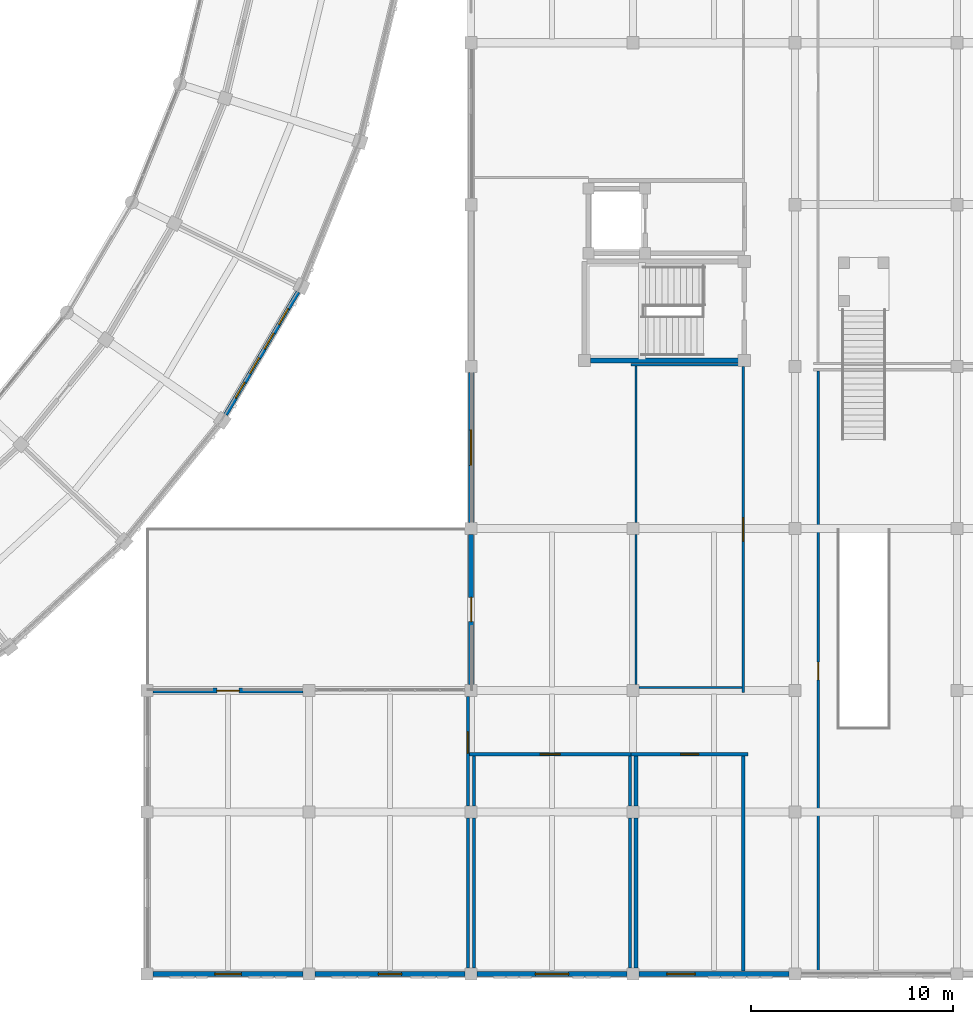
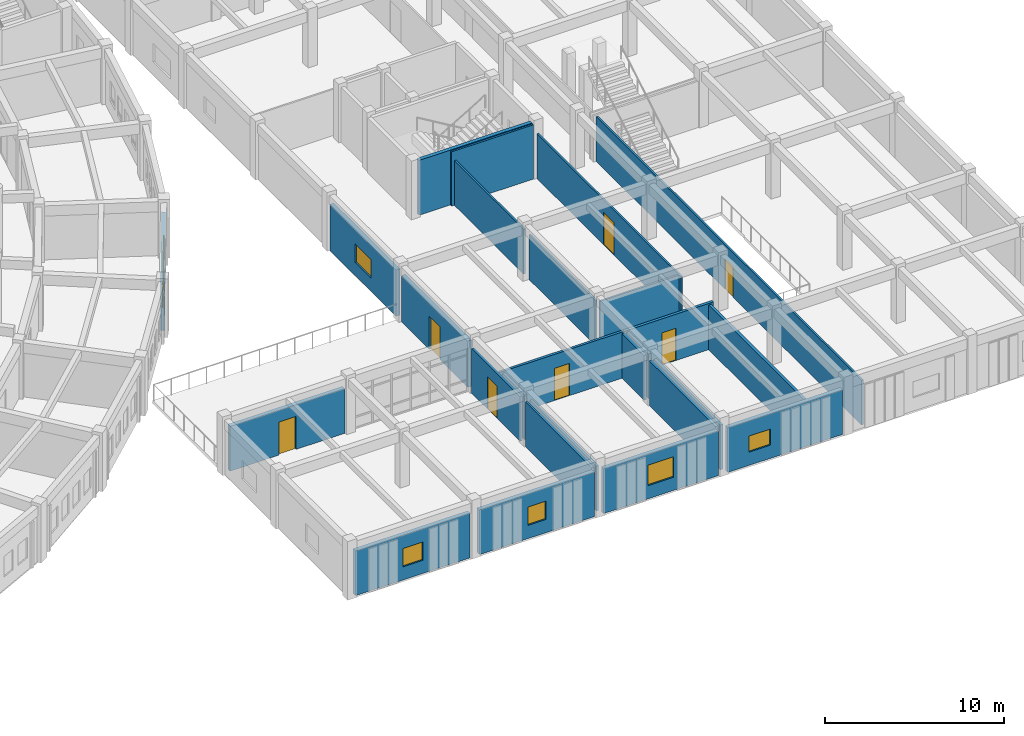
# One storey, part 133 of 159: 26 walls, 9 windows, 7 doors, 16 openings.
"""IFC4 building model written with IfcOpenShell, lengths in metres."""

from ifc_helpers import new_model, si_unit, direction, frame, frame_2d, origin, place, context, subcontext, project, spatial, rectangle, extrude, material, layer, layer_set, type_object, element, fill, save


model = new_model("IFC4")

# Units and contexts
model_context = context("Model", 3, precision=1e-05, world=origin(), true_north=direction((0.0, 1.0)))
body_context = subcontext(model_context, "Body", "Model", "MODEL_VIEW")
ifc_project = project(units=[si_unit("LENGTHUNIT", "METRE"), si_unit("AREAUNIT", "SQUARE_METRE"), si_unit("VOLUMEUNIT", "CUBIC_METRE"), si_unit("PLANEANGLEUNIT", "RADIAN"), si_unit("MASSUNIT", "GRAM", prefix="KILO")], contexts=[model_context])

# Site, building, storey
site_placement = place(None, origin())
site = spatial("IfcSite", under=ifc_project, at=site_placement, CompositionType="ELEMENT")
building_placement = place(site_placement, origin())
building = spatial("IfcBuilding", under=site, at=building_placement, Name="Celadon Cloister-Ring School", CompositionType="ELEMENT")
storey_placement = place(building_placement, frame((0.0, 0.0, 4.5)))
storey = spatial("IfcBuildingStorey", under=building, at=storey_placement, Name="L01", CompositionType="ELEMENT", Elevation=4.5)

# Wall, opening, door
ifc_material_1 = material(Name="Rendered concrete blockwork", Category="masonry")
ifc_layer_1 = layer(ifc_material_1, 0.260009765625)
ifc_layer_set_1 = layer_set([ifc_layer_1], Name="Rendered concrete blockwork")
wall_type_1 = type_object("IfcWallType", Name="WT-EX2", PredefinedType="SOLIDWALL", material=ifc_layer_set_1)
wall_1_placement = place(storey_placement, frame((126.302001953125, 16.0, 0.0), z_axis=(0.0, 0.0, 1.0), x_axis=(1.0, 0.0, 0.0)))
wall_1 = element("IfcWall", 1, at=wall_1_placement, inside=storey, type_object=wall_type_1, Name="Exterior Wall 0426", PredefinedType="SOLIDWALL", context=body_context, shape_type="SweptSolid", body=[
    extrude(rectangle(XDim=7.39599609375, YDim=0.260009765625, at=frame_2d((3.697998046875, 0.0))), origin(), (0.0, 0.0, 1.0), 3.052001953125),
])
opening_1_placement = place(wall_1_placement, frame((3.14794921875, 0.0, 0.0)))
opening_1 = element("IfcOpeningElement", 2, at=opening_1_placement, cuts=wall_1, Name="Opening D-0020", PredefinedType="OPENING", context=body_context, shape_type="SweptSolid", body=[
    extrude(rectangle(XDim=1.10009765625, YDim=2.25, at=frame_2d((0.550048828125, 1.125))), frame((0.0, 0.14013671875, 0.0), z_axis=(0.0, -1.0, 0.0), x_axis=(1.0, 0.0, 0.0)), (0.0, 0.0, 1.0), 0.280029296875),
])
ifc_material_2 = material(Name="Aluminium EN AW-6063 T6", Category="aluminium")
door_type_1 = type_object("IfcDoorType", Name="DE-05", OperationType="NOTDEFINED", PredefinedType="DOOR", material=ifc_material_2)
door_1_placement = place(opening_1_placement, origin())
door_1 = element("IfcDoor", 3, at=door_1_placement, inside=storey, type_object=door_type_1, Name="Exterior Door D-0020", OperationType="SINGLE_SWING_RIGHT", OverallHeight=2.25, OverallWidth=1.10009765625, PredefinedType="DOOR", context=body_context, shape_type="SweptSolid", body=[
    extrude(rectangle(XDim=1.10009765625, YDim=2.25, at=frame_2d((0.550048828125, 1.125))), frame((0.0, 0.02490234375, 0.0), z_axis=(0.0, -1.0, 0.0), x_axis=(1.0, 0.0, 0.0)), (0.0, 0.0, 1.0), 0.050048828125),
])
fill(opening_1, door_1)

wall_2_placement = place(storey_placement, frame((142.0, 16.302001953125, 0.0), z_axis=(0.0, 0.0, 1.0), x_axis=(0.0, 1.0, 0.0)))
wall_2 = element("IfcWall", 4, at=wall_2_placement, inside=storey, type_object=wall_type_1, Name="Exterior Wall 0427", PredefinedType="SOLIDWALL", context=body_context, shape_type="SweptSolid", body=[
    extrude(rectangle(XDim=7.39599609375, YDim=0.260009765625, at=frame_2d((3.697998046875, 0.0))), origin(), (0.0, 0.0, 1.0), 3.152099609375),
])
opening_2_placement = place(wall_2_placement, frame((3.097900390625, 0.0, 0.0)))
opening_2 = element("IfcOpeningElement", 5, at=opening_2_placement, cuts=wall_2, Name="Opening D-0021", PredefinedType="OPENING", context=body_context, shape_type="SweptSolid", body=[
    extrude(rectangle(XDim=1.199951171875, YDim=2.25, at=frame_2d((0.60009765625, 1.125))), frame((0.0, 0.14013671875, 0.0), z_axis=(0.0, -1.0, 0.0), x_axis=(1.0, 0.0, 0.0)), (0.0, 0.0, 1.0), 0.280029296875),
])
ifc_material_3 = material(Name="Aluminium EN AW-6063 T6", Category="aluminium")
door_type_2 = type_object("IfcDoorType", Name="DE-06", OperationType="NOTDEFINED", PredefinedType="DOOR", material=ifc_material_3)
door_2_placement = place(opening_2_placement, origin())
door_2 = element("IfcDoor", 6, at=door_2_placement, inside=storey, type_object=door_type_2, Name="Exterior Door D-0021", OperationType="SINGLE_SWING_LEFT", OverallHeight=2.25, OverallWidth=1.199951171875, PredefinedType="DOOR", context=body_context, shape_type="SweptSolid", body=[
    extrude(rectangle(XDim=1.199951171875, YDim=2.25, at=frame_2d((0.60009765625, 1.125))), frame((0.0, 0.02490234375, 0.0), z_axis=(0.0, -1.0, 0.0), x_axis=(1.0, 0.0, 0.0)), (0.0, 0.0, 1.0), 0.050048828125),
])
fill(opening_2, door_2)

# Wall, opening, window
wall_3_placement = place(storey_placement, frame((142.0, 24.302001953125, 0.0), z_axis=(0.0, 0.0, 1.0), x_axis=(0.0, 1.0, 0.0)))
wall_3 = element("IfcWall", 7, at=wall_3_placement, inside=storey, type_object=wall_type_1, Name="Exterior Wall 0428", PredefinedType="SOLIDWALL", context=body_context, shape_type="SweptSolid", body=[
    extrude(rectangle(XDim=7.39599609375, YDim=0.260009765625, at=frame_2d((3.697998046875, 0.0))), origin(), (0.0, 0.0, 1.0), 3.152099609375),
])
opening_3_placement = place(wall_3_placement, frame((2.822998046875, 0.0, 0.89990234375)))
opening_3 = element("IfcOpeningElement", 8, at=opening_3_placement, cuts=wall_3, Name="Opening WN-17", PredefinedType="OPENING", context=body_context, shape_type="SweptSolid", body=[
    extrude(rectangle(XDim=1.75, YDim=1.25, at=frame_2d((0.875, 0.625))), frame((0.0, 0.14013671875, 0.0), z_axis=(0.0, -1.0, 0.0), x_axis=(1.0, 0.0, 0.0)), (0.0, 0.0, 1.0), 0.280029296875),
])
ifc_material_4 = material(Name="Tempered laminated insulating glass", Category="glass")
window_type_1 = type_object("IfcWindowType", Name="WN-17", PartitioningType="DOUBLE_PANEL_VERTICAL", PredefinedType="WINDOW", material=ifc_material_4)
window_1_placement = place(opening_3_placement, origin())
window_1 = element("IfcWindow", 9, at=window_1_placement, inside=storey, type_object=window_type_1, Name="Window 0967", OverallHeight=1.25, OverallWidth=1.75, PartitioningType="SINGLE_PANEL", PredefinedType="WINDOW", context=body_context, shape_type="SweptSolid", body=[
    extrude(rectangle(XDim=1.75, YDim=1.25, at=frame_2d((0.875, 0.625))), frame((0.0, 0.030029296875, 0.0), z_axis=(0.0, -1.0, 0.0), x_axis=(1.0, 0.0, 0.0)), (0.0, 0.0, 1.0), 0.06005859375),
])
fill(opening_3, window_1)

wall_4_placement = place(storey_placement, frame((157.697998046875, 2.0, 0.0), z_axis=(0.0, 0.0, 1.0), x_axis=(-1.0, 0.0, 0.0)))
wall_4 = element("IfcWall", 10, at=wall_4_placement, inside=storey, type_object=wall_type_1, Name="Exterior Wall 0447", PredefinedType="SOLIDWALL", context=body_context, shape_type="SweptSolid", body=[
    extrude(rectangle(XDim=7.39599609375, YDim=0.260009765625, at=frame_2d((3.697998046875, 0.0))), origin(), (0.0, 0.0, 1.0), 3.052001953125),
])
opening_4_placement = place(wall_4_placement, frame((4.625, 0.0, 0.89990234375)))
opening_4 = element("IfcOpeningElement", 11, at=opening_4_placement, cuts=wall_4, Name="Opening WN-05", PredefinedType="OPENING", context=body_context, shape_type="SweptSolid", body=[
    extrude(rectangle(XDim=1.39990234375, YDim=1.10009765625, at=frame_2d((0.699951171875, 0.550048828125))), frame((0.0, 0.14013671875, 0.0), z_axis=(0.0, -1.0, 0.0), x_axis=(1.0, 0.0, 0.0)), (0.0, 0.0, 1.0), 0.280029296875),
])
ifc_material_5 = material(Name="Tempered laminated insulating glass", Category="glass")
window_type_2 = type_object("IfcWindowType", Name="WN-05", PartitioningType="SINGLE_PANEL", PredefinedType="WINDOW", material=ifc_material_5)
window_2_placement = place(opening_4_placement, origin())
window_2 = element("IfcWindow", 12, at=window_2_placement, inside=storey, type_object=window_type_2, Name="Window 0975", OverallHeight=1.10009765625, OverallWidth=1.39990234375, PartitioningType="SINGLE_PANEL", PredefinedType="WINDOW", context=body_context, shape_type="SweptSolid", body=[
    extrude(rectangle(XDim=1.39990234375, YDim=1.10009765625, at=frame_2d((0.699951171875, 0.550048828125))), frame((0.0, 0.030029296875, 0.0), z_axis=(0.0, -1.0, 0.0), x_axis=(1.0, 0.0, 0.0)), (0.0, 0.0, 1.0), 0.06005859375),
])
fill(opening_4, window_2)

wall_5_placement = place(storey_placement, frame((149.697998046875, 2.0, 0.0), z_axis=(0.0, 0.0, 1.0), x_axis=(-1.0, 0.0, 0.0)))
wall_5 = element("IfcWall", 13, at=wall_5_placement, inside=storey, type_object=wall_type_1, Name="Exterior Wall 0448", PredefinedType="SOLIDWALL", context=body_context, shape_type="SweptSolid", body=[
    extrude(rectangle(XDim=7.39599609375, YDim=0.260009765625, at=frame_2d((3.697998046875, 0.0))), origin(), (0.0, 0.0, 1.0), 3.052001953125),
])
opening_5_placement = place(wall_5_placement, frame((2.873046875, 0.0, 0.89990234375)))
opening_5 = element("IfcOpeningElement", 14, at=opening_5_placement, cuts=wall_5, Name="Opening WN-26", PredefinedType="OPENING", context=body_context, shape_type="SweptSolid", body=[
    extrude(rectangle(XDim=1.64990234375, YDim=1.39990234375, at=frame_2d((0.824951171875, 0.699951171875))), frame((0.0, 0.14013671875, 0.0), z_axis=(0.0, -1.0, 0.0), x_axis=(1.0, 0.0, 0.0)), (0.0, 0.0, 1.0), 0.280029296875),
])
ifc_material_6 = material(Name="Tempered laminated insulating glass", Category="glass")
window_type_3 = type_object("IfcWindowType", Name="WN-26", PartitioningType="DOUBLE_PANEL_VERTICAL", PredefinedType="WINDOW", material=ifc_material_6)
window_3_placement = place(opening_5_placement, origin())
window_3 = element("IfcWindow", 15, at=window_3_placement, inside=storey, type_object=window_type_3, Name="Window 0976", OverallHeight=1.39990234375, OverallWidth=1.64990234375, PartitioningType="SINGLE_PANEL", PredefinedType="WINDOW", context=body_context, shape_type="SweptSolid", body=[
    extrude(rectangle(XDim=1.64990234375, YDim=1.39990234375, at=frame_2d((0.824951171875, 0.699951171875))), frame((0.0, 0.030029296875, 0.0), z_axis=(0.0, -1.0, 0.0), x_axis=(1.0, 0.0, 0.0)), (0.0, 0.0, 1.0), 0.06005859375),
])
fill(opening_5, window_3)

wall_6_placement = place(storey_placement, frame((141.697998046875, 2.0, 0.0), z_axis=(0.0, 0.0, 1.0), x_axis=(-1.0, 0.0, 0.0)))
wall_6 = element("IfcWall", 16, at=wall_6_placement, inside=storey, type_object=wall_type_1, Name="Exterior Wall 0449", PredefinedType="SOLIDWALL", context=body_context, shape_type="SweptSolid", body=[
    extrude(rectangle(XDim=7.39599609375, YDim=0.260009765625, at=frame_2d((3.697998046875, 0.0))), origin(), (0.0, 0.0, 1.0), 3.052001953125),
])
opening_6_placement = place(wall_6_placement, frame((3.123046875, 0.0, 0.89990234375)))
opening_6 = element("IfcOpeningElement", 17, at=opening_6_placement, cuts=wall_6, Name="Opening WN-13", PredefinedType="OPENING", context=body_context, shape_type="SweptSolid", body=[
    extrude(rectangle(XDim=1.14990234375, YDim=1.25, at=frame_2d((0.574951171875, 0.625))), frame((0.0, 0.14013671875, 0.0), z_axis=(0.0, -1.0, 0.0), x_axis=(1.0, 0.0, 0.0)), (0.0, 0.0, 1.0), 0.280029296875),
])
ifc_material_7 = material(Name="Tempered laminated insulating glass", Category="glass")
window_type_4 = type_object("IfcWindowType", Name="WN-13", PartitioningType="SINGLE_PANEL", PredefinedType="WINDOW", material=ifc_material_7)
window_4_placement = place(opening_6_placement, origin())
window_4 = element("IfcWindow", 18, at=window_4_placement, inside=storey, type_object=window_type_4, Name="Window 0977", OverallHeight=1.25, OverallWidth=1.14990234375, PartitioningType="SINGLE_PANEL", PredefinedType="WINDOW", context=body_context, shape_type="SweptSolid", body=[
    extrude(rectangle(XDim=1.14990234375, YDim=1.25, at=frame_2d((0.574951171875, 0.625))), frame((0.0, 0.030029296875, 0.0), z_axis=(0.0, -1.0, 0.0), x_axis=(1.0, 0.0, 0.0)), (0.0, 0.0, 1.0), 0.06005859375),
])
fill(opening_6, window_4)

wall_7_placement = place(storey_placement, frame((133.697998046875, 2.0, 0.0), z_axis=(0.0, 0.0, 1.0), x_axis=(-1.0, 0.0, 0.0)))
wall_7 = element("IfcWall", 19, at=wall_7_placement, inside=storey, type_object=wall_type_1, Name="Exterior Wall 0450", PredefinedType="SOLIDWALL", context=body_context, shape_type="SweptSolid", body=[
    extrude(rectangle(XDim=7.39599609375, YDim=0.260009765625, at=frame_2d((3.697998046875, 0.0))), origin(), (0.0, 0.0, 1.0), 3.052001953125),
])
opening_7_placement = place(wall_7_placement, frame((3.048095703125, 0.0, 0.89990234375)))
opening_7 = element("IfcOpeningElement", 20, at=opening_7_placement, cuts=wall_7, Name="Opening WN-14", PredefinedType="OPENING", context=body_context, shape_type="SweptSolid", body=[
    extrude(rectangle(XDim=1.300048828125, YDim=1.25, at=frame_2d((0.64990234375, 0.625))), frame((0.0, 0.14013671875, 0.0), z_axis=(0.0, -1.0, 0.0), x_axis=(1.0, 0.0, 0.0)), (0.0, 0.0, 1.0), 0.280029296875),
])
ifc_material_8 = material(Name="Tempered laminated insulating glass", Category="glass")
window_type_5 = type_object("IfcWindowType", Name="WN-14", PartitioningType="SINGLE_PANEL", PredefinedType="WINDOW", material=ifc_material_8)
window_5_placement = place(opening_7_placement, origin())
window_5 = element("IfcWindow", 21, at=window_5_placement, inside=storey, type_object=window_type_5, Name="Window 0978", OverallHeight=1.25, OverallWidth=1.300048828125, PartitioningType="SINGLE_PANEL", PredefinedType="WINDOW", context=body_context, shape_type="SweptSolid", body=[
    extrude(rectangle(XDim=1.300048828125, YDim=1.25, at=frame_2d((0.64990234375, 0.625))), frame((0.0, 0.030029296875, 0.0), z_axis=(0.0, -1.0, 0.0), x_axis=(1.0, 0.0, 0.0)), (0.0, 0.0, 1.0), 0.06005859375),
])
fill(opening_7, window_5)

# Wall, openings, windows
ifc_material_9 = material(Name="Perforated terracotta clay brick masonry", Category="masonry")
ifc_layer_2 = layer(ifc_material_9, 0.219970703125)
ifc_layer_set_2 = layer_set([ifc_layer_2], Name="Perforated terracotta clay brick masonry")
wall_type_2 = type_object("IfcWallType", Name="WT-EX4", PredefinedType="SOLIDWALL", material=ifc_layer_set_2)
wall_8_placement = place(storey_placement, frame((133.4541015625, 35.68798828125, 0.0), z_axis=(0.0, 0.0, 1.0), x_axis=(-0.50780734215, -0.861470663028, 0.0)))
wall_8 = element("IfcWall", 22, at=wall_8_placement, inside=storey, type_object=wall_type_2, Name="Exterior Wall 0085", PredefinedType="SOLIDWALL", context=body_context, shape_type="SweptSolid", body=[
    extrude(rectangle(XDim=7.0322265625, YDim=0.219970703125, at=frame_2d((3.51611328125, 0.0))), origin(), (0.0, 0.0, 1.0), 3.172119140625),
])
opening_8_placement = place(wall_8_placement, frame((0.9560546875, 0.0, 0.85009765625)))
opening_8 = element("IfcOpeningElement", 23, at=opening_8_placement, cuts=wall_8, Name="Opening WN-21", PredefinedType="OPENING", context=body_context, shape_type="SweptSolid", body=[
    extrude(rectangle(XDim=0.89990234375, YDim=1.39990234375, at=frame_2d((0.449951171875, 0.699951171875))), frame((0.0, 0.1201171875, 0.0), z_axis=(0.0, -1.0, 0.0), x_axis=(1.0, 0.0, 0.0)), (0.0, 0.0, 1.0), 0.239990234375),
])
opening_9_placement = place(wall_8_placement, frame((2.363037109375, 0.0, 0.85009765625)))
opening_9 = element("IfcOpeningElement", 24, at=opening_9_placement, cuts=wall_8, Name="Opening WN-21", PredefinedType="OPENING", context=body_context, shape_type="SweptSolid", body=[
    extrude(rectangle(XDim=0.89990234375, YDim=1.39990234375, at=frame_2d((0.449951171875, 0.699951171875))), frame((0.0, 0.1201171875, 0.0), z_axis=(0.0, -1.0, 0.0), x_axis=(1.0, 0.0, 0.0)), (0.0, 0.0, 1.0), 0.239990234375),
])
opening_10_placement = place(wall_8_placement, frame((3.76904296875, 0.0, 0.85009765625)))
opening_10 = element("IfcOpeningElement", 25, at=opening_10_placement, cuts=wall_8, Name="Opening WN-21", PredefinedType="OPENING", context=body_context, shape_type="SweptSolid", body=[
    extrude(rectangle(XDim=0.89990234375, YDim=1.39990234375, at=frame_2d((0.449951171875, 0.699951171875))), frame((0.0, 0.1201171875, 0.0), z_axis=(0.0, -1.0, 0.0), x_axis=(1.0, 0.0, 0.0)), (0.0, 0.0, 1.0), 0.239990234375),
])
opening_11_placement = place(wall_8_placement, frame((5.176025390625, 0.0, 0.85009765625)))
opening_11 = element("IfcOpeningElement", 26, at=opening_11_placement, cuts=wall_8, Name="Opening WN-21", PredefinedType="OPENING", context=body_context, shape_type="SweptSolid", body=[
    extrude(rectangle(XDim=0.89990234375, YDim=1.39990234375, at=frame_2d((0.449951171875, 0.699951171875))), frame((0.0, 0.1201171875, 0.0), z_axis=(0.0, -1.0, 0.0), x_axis=(1.0, 0.0, 0.0)), (0.0, 0.0, 1.0), 0.239990234375),
])
ifc_material_10 = material(Name="Tempered laminated insulating glass", Category="glass")
window_type_6 = type_object("IfcWindowType", Name="WN-21", PartitioningType="SINGLE_PANEL", PredefinedType="WINDOW", material=ifc_material_10)
window_6_placement = place(opening_8_placement, origin())
window_6 = element("IfcWindow", 27, at=window_6_placement, inside=storey, type_object=window_type_6, Name="Window 0227", OverallHeight=1.39990234375, OverallWidth=0.89990234375, PartitioningType="SINGLE_PANEL", PredefinedType="WINDOW", context=body_context, shape_type="SweptSolid", body=[
    extrude(rectangle(XDim=0.89990234375, YDim=1.39990234375, at=frame_2d((0.449951171875, 0.699951171875))), frame((0.0, 0.030029296875, 0.0), z_axis=(0.0, -1.0, 0.0), x_axis=(1.0, 0.0, 0.0)), (0.0, 0.0, 1.0), 0.06005859375),
])
fill(opening_8, window_6)
window_7_placement = place(opening_9_placement, origin())
window_7 = element("IfcWindow", 28, at=window_7_placement, inside=storey, type_object=window_type_6, Name="Window 0228", OverallHeight=1.39990234375, OverallWidth=0.89990234375, PartitioningType="SINGLE_PANEL", PredefinedType="WINDOW", context=body_context, shape_type="SweptSolid", body=[
    extrude(rectangle(XDim=0.89990234375, YDim=1.39990234375, at=frame_2d((0.449951171875, 0.699951171875))), frame((0.0, 0.030029296875, 0.0), z_axis=(0.0, -1.0, 0.0), x_axis=(1.0, 0.0, 0.0)), (0.0, 0.0, 1.0), 0.06005859375),
])
fill(opening_9, window_7)
window_8_placement = place(opening_10_placement, origin())
window_8 = element("IfcWindow", 29, at=window_8_placement, inside=storey, type_object=window_type_6, Name="Window 0229", OverallHeight=1.39990234375, OverallWidth=0.89990234375, PartitioningType="SINGLE_PANEL", PredefinedType="WINDOW", context=body_context, shape_type="SweptSolid", body=[
    extrude(rectangle(XDim=0.89990234375, YDim=1.39990234375, at=frame_2d((0.449951171875, 0.699951171875))), frame((0.0, 0.030029296875, 0.0), z_axis=(0.0, -1.0, 0.0), x_axis=(1.0, 0.0, 0.0)), (0.0, 0.0, 1.0), 0.06005859375),
])
fill(opening_10, window_8)
window_9_placement = place(opening_11_placement, origin())
window_9 = element("IfcWindow", 30, at=window_9_placement, inside=storey, type_object=window_type_6, Name="Window 0230", OverallHeight=1.39990234375, OverallWidth=0.89990234375, PartitioningType="SINGLE_PANEL", PredefinedType="WINDOW", context=body_context, shape_type="SweptSolid", body=[
    extrude(rectangle(XDim=0.89990234375, YDim=1.39990234375, at=frame_2d((0.449951171875, 0.699951171875))), frame((0.0, 0.030029296875, 0.0), z_axis=(0.0, -1.0, 0.0), x_axis=(1.0, 0.0, 0.0)), (0.0, 0.0, 1.0), 0.06005859375),
])
fill(opening_11, window_9)

# Wall, opening, door
ifc_material_11 = material(Name="Plastered hollow concrete masonry", Category="masonry")
ifc_layer_3 = layer(ifc_material_11, 0.179931640625)
ifc_layer_set_3 = layer_set([ifc_layer_3], Name="Plastered hollow concrete masonry")
wall_type_3 = type_object("IfcWallType", Name="WT-PT2", PredefinedType="PARTITIONING", material=ifc_layer_set_3)
wall_9_placement = place(storey_placement, frame((149.909912109375, 12.85009765625, 0.0), z_axis=(0.0, 0.0, 1.0), x_axis=(1.0, 0.0, 0.0)))
wall_9 = element("IfcWall", 31, at=wall_9_placement, inside=storey, type_object=wall_type_3, Name="Interior Wall 0959", PredefinedType="PARTITIONING", context=body_context, shape_type="SweptSolid", body=[
    extrude(rectangle(XDim=5.780029296875, YDim=0.179931640625, at=frame_2d((2.89013671875, 0.0))), origin(), (0.0, 0.0, 1.0), 3.152099609375),
])
opening_12_placement = place(wall_9_placement, frame((2.43994140625, 0.0, 0.0)))
opening_12 = element("IfcOpeningElement", 32, at=opening_12_placement, cuts=wall_9, Name="Opening D-0348", PredefinedType="OPENING", context=body_context, shape_type="SweptSolid", body=[
    extrude(rectangle(XDim=0.89990234375, YDim=2.199951171875, at=frame_2d((0.449951171875, 1.10009765625))), frame((0.0, 0.10009765625, 0.0), z_axis=(0.0, -1.0, 0.0), x_axis=(1.0, 0.0, 0.0)), (0.0, 0.0, 1.0), 0.199951171875),
])
ifc_material_12 = material(Name="Solid-core fire-rated hardwood leaf", Category="wood")
door_type_3 = type_object("IfcDoorType", Name="DT-06", OperationType="NOTDEFINED", PredefinedType="DOOR", material=ifc_material_12)
door_3_placement = place(opening_12_placement, origin())
door_3 = element("IfcDoor", 33, at=door_3_placement, inside=storey, type_object=door_type_3, Name="Door D-0348", OperationType="SINGLE_SWING_RIGHT", OverallHeight=2.199951171875, OverallWidth=0.89990234375, PredefinedType="DOOR", context=body_context, shape_type="SweptSolid", body=[
    extrude(rectangle(XDim=0.89990234375, YDim=2.199951171875, at=frame_2d((0.449951171875, 1.10009765625))), frame((0.0, 0.02490234375, 0.0), z_axis=(0.0, -1.0, 0.0), x_axis=(1.0, 0.0, 0.0)), (0.0, 0.0, 1.0), 0.050048828125),
])
fill(opening_12, door_3)

# Walls
wall_10_placement = place(storey_placement, frame((155.449951171875, 12.757080078125, 0.0), z_axis=(0.0, 0.0, 1.0), x_axis=(0.0, -1.0, 0.0)))
element("IfcWall", 34, at=wall_10_placement, inside=storey, type_object=wall_type_3, Name="Interior Wall 0960", PredefinedType="PARTITIONING", context=body_context, shape_type="SweptSolid", body=[
    extrude(rectangle(XDim=10.6240234375, YDim=0.179931640625, at=frame_2d((5.31201171875, 0.0))), origin(), (0.0, 0.0, 1.0), 3.052001953125),
])
wall_11_placement = place(storey_placement, frame((150.14990234375, 2.2919921875, 0.0), z_axis=(0.0, 0.0, 1.0), x_axis=(0.0, 1.0, 0.0)))
element("IfcWall", 35, at=wall_11_placement, inside=storey, type_object=wall_type_3, Name="Interior Wall 0961", PredefinedType="PARTITIONING", context=body_context, shape_type="SweptSolid", body=[
    extrude(rectangle(XDim=7.416015625, YDim=0.179931640625, at=frame_2d((3.7080078125, 0.0))), origin(), (0.0, 0.0, 1.0), 3.052001953125),
])
wall_12_placement = place(storey_placement, frame((150.14990234375, 10.2919921875, 0.0), z_axis=(0.0, 0.0, 1.0), x_axis=(0.0, 1.0, 0.0)))
element("IfcWall", 36, at=wall_12_placement, inside=storey, type_object=wall_type_3, Name="Interior Wall 0962", PredefinedType="PARTITIONING", context=body_context, shape_type="SweptSolid", body=[
    extrude(rectangle(XDim=2.465087890625, YDim=0.179931640625, at=frame_2d((1.232421875, 0.0))), origin(), (0.0, 0.0, 1.0), 3.052001953125),
])

# Wall, opening, door
ifc_material_13 = material(Name="Plastered hollow concrete masonry", Category="masonry")
ifc_layer_4 = layer(ifc_material_13, 0.159912109375)
ifc_layer_set_4 = layer_set([ifc_layer_4], Name="Plastered hollow concrete masonry")
wall_type_4 = type_object("IfcWallType", Name="WT-PT3", PredefinedType="PARTITIONING", material=ifc_layer_set_4)
wall_13_placement = place(storey_placement, frame((141.909912109375, 12.85009765625, 0.0), z_axis=(0.0, 0.0, 1.0), x_axis=(1.0, 0.0, 0.0)))
wall_13 = element("IfcWall", 37, at=wall_13_placement, inside=storey, type_object=wall_type_4, Name="Interior Wall 0963", PredefinedType="PARTITIONING", context=body_context, shape_type="SweptSolid", body=[
    extrude(rectangle(XDim=8.0, YDim=0.159912109375, at=frame_2d((4.0, 0.0))), origin(), (0.0, 0.0, 1.0), 3.152099609375),
])
opening_13_placement = place(wall_13_placement, frame((3.510009765625, 0.0, 0.0)))
opening_13 = element("IfcOpeningElement", 38, at=opening_13_placement, cuts=wall_13, Name="Opening D-0349", PredefinedType="OPENING", context=body_context, shape_type="SweptSolid", body=[
    extrude(rectangle(XDim=0.97998046875, YDim=2.199951171875, at=frame_2d((0.489990234375, 1.10009765625))), frame((0.0, 0.08984375, 0.0), z_axis=(0.0, -1.0, 0.0), x_axis=(1.0, 0.0, 0.0)), (0.0, 0.0, 1.0), 0.179931640625),
])
ifc_material_14 = material(Name="Solid-core fire-rated hardwood leaf", Category="wood")
door_type_4 = type_object("IfcDoorType", Name="DT-07", OperationType="NOTDEFINED", PredefinedType="DOOR", material=ifc_material_14)
door_4_placement = place(opening_13_placement, origin())
door_4 = element("IfcDoor", 39, at=door_4_placement, inside=storey, type_object=door_type_4, Name="Door D-0349", OperationType="SINGLE_SWING_LEFT", OverallHeight=2.199951171875, OverallWidth=0.97998046875, PredefinedType="DOOR", context=body_context, shape_type="SweptSolid", body=[
    extrude(rectangle(XDim=0.97998046875, YDim=2.199951171875, at=frame_2d((0.489990234375, 1.10009765625))), frame((0.0, 0.02490234375, 0.0), z_axis=(0.0, -1.0, 0.0), x_axis=(1.0, 0.0, 0.0)), (0.0, 0.0, 1.0), 0.050048828125),
])
fill(opening_13, door_4)

# Walls
wall_14_placement = place(storey_placement, frame((149.85009765625, 12.76708984375, 0.0), z_axis=(0.0, 0.0, 1.0), x_axis=(0.0, -1.0, 0.0)))
element("IfcWall", 40, at=wall_14_placement, inside=storey, type_object=wall_type_4, Name="Interior Wall 0964", PredefinedType="PARTITIONING", context=body_context, shape_type="SweptSolid", body=[
    extrude(rectangle(XDim=2.47509765625, YDim=0.159912109375, at=frame_2d((1.237548828125, 0.0))), origin(), (0.0, 0.0, 1.0), 3.052001953125),
])
for number, where, z_axis, x_axis, name in (
    (41, (149.85009765625, 9.7080078125, 0.0), (0.0, 0.0, 1.0), (0.0, -1.0, 0.0), "Interior Wall 0965"),
    (42, (142.14990234375, 2.2919921875, 0.0), (0.0, 0.0, 1.0), (0.0, 1.0, 0.0), "Interior Wall 0966"),
):
    element("IfcWall", number, at=place(storey_placement, frame(where, z_axis=z_axis, x_axis=x_axis)), inside=storey, type_object=wall_type_4, Name=name, PredefinedType="PARTITIONING", context=body_context, shape_type="SweptSolid", body=[
        extrude(rectangle(XDim=7.416015625, YDim=0.159912109375, at=frame_2d((3.7080078125, 0.0))), origin(), (0.0, 0.0, 1.0), 3.052001953125),
    ])
wall_15_placement = place(storey_placement, frame((142.14990234375, 10.2919921875, 0.0), z_axis=(0.0, 0.0, 1.0), x_axis=(0.0, 1.0, 0.0)))
element("IfcWall", 43, at=wall_15_placement, inside=storey, type_object=wall_type_4, Name="Interior Wall 0967", PredefinedType="PARTITIONING", context=body_context, shape_type="SweptSolid", body=[
    extrude(rectangle(XDim=2.47509765625, YDim=0.159912109375, at=frame_2d((1.237548828125, 0.0))), origin(), (0.0, 0.0, 1.0), 3.052001953125),
])

# Wall, opening, door
ifc_material_15 = material(Name="Acoustic mineral-wool drywall partition")
ifc_layer_5 = layer(ifc_material_15, 0.139892578125)
ifc_layer_set_5 = layer_set([ifc_layer_5], Name="Acoustic mineral-wool drywall partition")
wall_type_5 = type_object("IfcWallType", Name="WT-PT4", PredefinedType="PARTITIONING", material=ifc_layer_set_5)
wall_16_placement = place(storey_placement, frame((141.85009765625, 15.7080078125, 0.0), z_axis=(0.0, 0.0, 1.0), x_axis=(0.0, -1.0, 0.0)))
wall_16 = element("IfcWall", 44, at=wall_16_placement, inside=storey, type_object=wall_type_5, Name="Interior Wall 0968", PredefinedType="PARTITIONING", context=body_context, shape_type="SweptSolid", body=[
    extrude(rectangle(XDim=5.416015625, YDim=0.139892578125, at=frame_2d((2.7080078125, 0.0))), origin(), (0.0, 0.0, 1.0), 3.052001953125),
])
opening_14_placement = place(wall_16_placement, frame((1.7451171875, 0.0, 0.0)))
opening_14 = element("IfcOpeningElement", 45, at=opening_14_placement, cuts=wall_16, Name="Opening D-0350", PredefinedType="OPENING", context=body_context, shape_type="SweptSolid", body=[
    extrude(rectangle(XDim=1.06005859375, YDim=2.199951171875, at=frame_2d((0.530029296875, 1.10009765625))), frame((0.0, 0.080078125, 0.0), z_axis=(0.0, -1.0, 0.0), x_axis=(1.0, 0.0, 0.0)), (0.0, 0.0, 1.0), 0.159912109375),
])
ifc_material_16 = material(Name="Solid-core fire-rated hardwood leaf", Category="wood")
door_type_5 = type_object("IfcDoorType", Name="DT-08", OperationType="NOTDEFINED", PredefinedType="DOOR", material=ifc_material_16)
door_5_placement = place(opening_14_placement, origin())
door_5 = element("IfcDoor", 46, at=door_5_placement, inside=storey, type_object=door_type_5, Name="Door D-0350", OperationType="SINGLE_SWING_RIGHT", OverallHeight=2.199951171875, OverallWidth=1.06005859375, PredefinedType="DOOR", context=body_context, shape_type="SweptSolid", body=[
    extrude(rectangle(XDim=1.06005859375, YDim=2.199951171875, at=frame_2d((0.530029296875, 1.10009765625))), frame((0.0, 0.02490234375, 0.0), z_axis=(0.0, -1.0, 0.0), x_axis=(1.0, 0.0, 0.0)), (0.0, 0.0, 1.0), 0.050048828125),
])
fill(opening_14, door_5)

# Wall
wall_17_placement = place(storey_placement, frame((141.85009765625, 9.7080078125, 0.0), z_axis=(0.0, 0.0, 1.0), x_axis=(0.0, -1.0, 0.0)))
element("IfcWall", 47, at=wall_17_placement, inside=storey, type_object=wall_type_5, Name="Interior Wall 0969", PredefinedType="PARTITIONING", context=body_context, shape_type="SweptSolid", body=[
    extrude(rectangle(XDim=7.416015625, YDim=0.139892578125, at=frame_2d((3.7080078125, 0.0))), origin(), (0.0, 0.0, 1.0), 3.052001953125),
])

# Wall, opening, door
ifc_material_17 = material(Name="Acoustic mineral-wool drywall partition")
ifc_layer_6 = layer(ifc_material_17, 0.1201171875)
ifc_layer_set_6 = layer_set([ifc_layer_6], Name="Acoustic mineral-wool drywall partition")
wall_type_6 = type_object("IfcWallType", Name="WT-PT5", PredefinedType="PARTITIONING", material=ifc_layer_set_6)
wall_18_placement = place(storey_placement, frame((159.14990234375, 2.133056640625, 0.0), z_axis=(0.0, 0.0, 1.0), x_axis=(0.0, 1.0, 0.0)))
wall_18 = element("IfcWall", 48, at=wall_18_placement, inside=storey, type_object=wall_type_6, Name="Interior Wall 0955", PredefinedType="PARTITIONING", context=body_context, shape_type="SweptSolid", body=[
    extrude(rectangle(XDim=29.654052734375, YDim=0.1201171875, at=frame_2d((14.8271484375, 0.0))), origin(), (0.0, 0.0, 1.0), 3.052001953125),
])
opening_15_placement = place(wall_18_placement, frame((14.386962890625, 0.0, 0.0)))
opening_15 = element("IfcOpeningElement", 49, at=opening_15_placement, cuts=wall_18, Name="Opening D-0346", PredefinedType="OPENING", context=body_context, shape_type="SweptSolid", body=[
    extrude(rectangle(XDim=0.8798828125, YDim=2.10009765625, at=frame_2d((0.43994140625, 1.050048828125))), frame((0.0, 0.070068359375, 0.0), z_axis=(0.0, -1.0, 0.0), x_axis=(1.0, 0.0, 0.0)), (0.0, 0.0, 1.0), 0.14013671875),
])
ifc_material_18 = material(Name="Solid-core fire-rated hardwood leaf", Category="wood")
door_type_6 = type_object("IfcDoorType", Name="DT-01", OperationType="NOTDEFINED", PredefinedType="DOOR", material=ifc_material_18)
door_6_placement = place(opening_15_placement, origin())
door_6 = element("IfcDoor", 50, at=door_6_placement, inside=storey, type_object=door_type_6, Name="Door D-0346", OperationType="SINGLE_SWING_RIGHT", OverallHeight=2.10009765625, OverallWidth=0.8798828125, PredefinedType="DOOR", context=body_context, shape_type="SweptSolid", body=[
    extrude(rectangle(XDim=0.8798828125, YDim=2.10009765625, at=frame_2d((0.43994140625, 1.050048828125))), frame((0.0, 0.02490234375, 0.0), z_axis=(0.0, -1.0, 0.0), x_axis=(1.0, 0.0, 0.0)), (0.0, 0.0, 1.0), 0.050048828125),
])
fill(opening_15, door_6)

# Wall
wall_19_placement = place(storey_placement, frame((149.909912109375, 32.10009765625, 0.0), z_axis=(0.0, 0.0, 1.0), x_axis=(1.0, 0.0, 0.0)))
element("IfcWall", 51, at=wall_19_placement, inside=storey, type_object=wall_type_6, Name="Interior Wall 0970", PredefinedType="PARTITIONING", context=body_context, shape_type="SweptSolid", body=[
    extrude(rectangle(XDim=5.298095703125, YDim=0.1201171875, at=frame_2d((2.64892578125, 0.0))), origin(), (0.0, 0.0, 1.0), 3.699951171875),
])

# Wall, opening, door
wall_20_placement = place(storey_placement, frame((155.449951171875, 32.008056640625, 0.0), z_axis=(0.0, 0.0, 1.0), x_axis=(0.0, -1.0, 0.0)))
wall_20 = element("IfcWall", 52, at=wall_20_placement, inside=storey, type_object=wall_type_6, Name="Interior Wall 0971", PredefinedType="PARTITIONING", context=body_context, shape_type="SweptSolid", body=[
    extrude(rectangle(XDim=16.09814453125, YDim=0.1201171875, at=frame_2d((8.049072265625, 0.0))), origin(), (0.0, 0.0, 1.0), 3.052001953125),
])
opening_16_placement = place(wall_20_placement, frame((7.47412109375, 0.0, 0.0)))
opening_16 = element("IfcOpeningElement", 53, at=opening_16_placement, cuts=wall_20, Name="Opening D-0351", PredefinedType="OPENING", context=body_context, shape_type="SweptSolid", body=[
    extrude(rectangle(XDim=1.14990234375, YDim=2.199951171875, at=frame_2d((0.574951171875, 1.10009765625))), frame((0.0, 0.070068359375, 0.0), z_axis=(0.0, -1.0, 0.0), x_axis=(1.0, 0.0, 0.0)), (0.0, 0.0, 1.0), 0.14013671875),
])
ifc_material_19 = material(Name="Galvanised fire-rated hollow steel leaf", Category="steel")
door_type_7 = type_object("IfcDoorType", Name="DT-09", OperationType="NOTDEFINED", PredefinedType="DOOR", material=ifc_material_19)
door_7_placement = place(opening_16_placement, origin())
door_7 = element("IfcDoor", 54, at=door_7_placement, inside=storey, type_object=door_type_7, Name="Door D-0351", OperationType="SINGLE_SWING_LEFT", OverallHeight=2.199951171875, OverallWidth=1.14990234375, PredefinedType="DOOR", context=body_context, shape_type="SweptSolid", body=[
    extrude(rectangle(XDim=1.14990234375, YDim=2.199951171875, at=frame_2d((0.574951171875, 1.10009765625))), frame((0.0, 0.02490234375, 0.0), z_axis=(0.0, -1.0, 0.0), x_axis=(1.0, 0.0, 0.0)), (0.0, 0.0, 1.0), 0.050048828125),
])
fill(opening_16, door_7)

# Walls
wall_21_placement = place(storey_placement, frame((155.386962890625, 16.14990234375, 0.0), z_axis=(0.0, 0.0, 1.0), x_axis=(-1.0, 0.0, 0.0)))
element("IfcWall", 55, at=wall_21_placement, inside=storey, type_object=wall_type_6, Name="Interior Wall 0972", PredefinedType="PARTITIONING", context=body_context, shape_type="SweptSolid", body=[
    extrude(rectangle(XDim=5.094970703125, YDim=0.1201171875, at=frame_2d((2.54736328125, 0.0))), origin(), (0.0, 0.0, 1.0), 3.052001953125),
])
wall_22_placement = place(storey_placement, frame((150.14990234375, 16.2919921875, 0.0), z_axis=(0.0, 0.0, 1.0), x_axis=(0.0, 1.0, 0.0)))
element("IfcWall", 56, at=wall_22_placement, inside=storey, type_object=wall_type_6, Name="Interior Wall 0973", PredefinedType="PARTITIONING", context=body_context, shape_type="SweptSolid", body=[
    extrude(rectangle(XDim=7.416015625, YDim=0.1201171875, at=frame_2d((3.7080078125, 0.0))), origin(), (0.0, 0.0, 1.0), 3.052001953125),
])
wall_23_placement = place(storey_placement, frame((150.14990234375, 24.2919921875, 0.0), z_axis=(0.0, 0.0, 1.0), x_axis=(0.0, 1.0, 0.0)))
element("IfcWall", 57, at=wall_23_placement, inside=storey, type_object=wall_type_6, Name="Interior Wall 0974", PredefinedType="PARTITIONING", context=body_context, shape_type="SweptSolid", body=[
    extrude(rectangle(XDim=7.7451171875, YDim=0.1201171875, at=frame_2d((3.87255859375, 0.0))), origin(), (0.0, 0.0, 1.0), 3.052001953125),
])
ifc_material_20 = material(Name="Concrete C40/50", Category="concrete")
ifc_layer_7 = layer(ifc_material_20, 0.239990234375)
ifc_layer_set_7 = layer_set([ifc_layer_7], Name="Concrete C40/50")
wall_type_7 = type_object("IfcWallType", Name="WT-SH1", PredefinedType="SHEAR", material=ifc_layer_set_7)
wall_24_placement = place(storey_placement, frame((155.2080078125, 32.300048828125, 0.0), z_axis=(0.0, 0.0, 1.0), x_axis=(-1.0, 0.0, 0.0)))
element("IfcWall", 58, at=wall_24_placement, inside=storey, type_object=wall_type_7, Name="Interior Wall 0135", PredefinedType="SHEAR", context=body_context, shape_type="SweptSolid", body=[
    extrude(rectangle(XDim=7.31591796875, YDim=0.239990234375, at=frame_2d((3.657958984375, 0.0))), origin(), (0.0, 0.0, 1.0), 3.739990234375),
])

save(model, "model.ifc")
